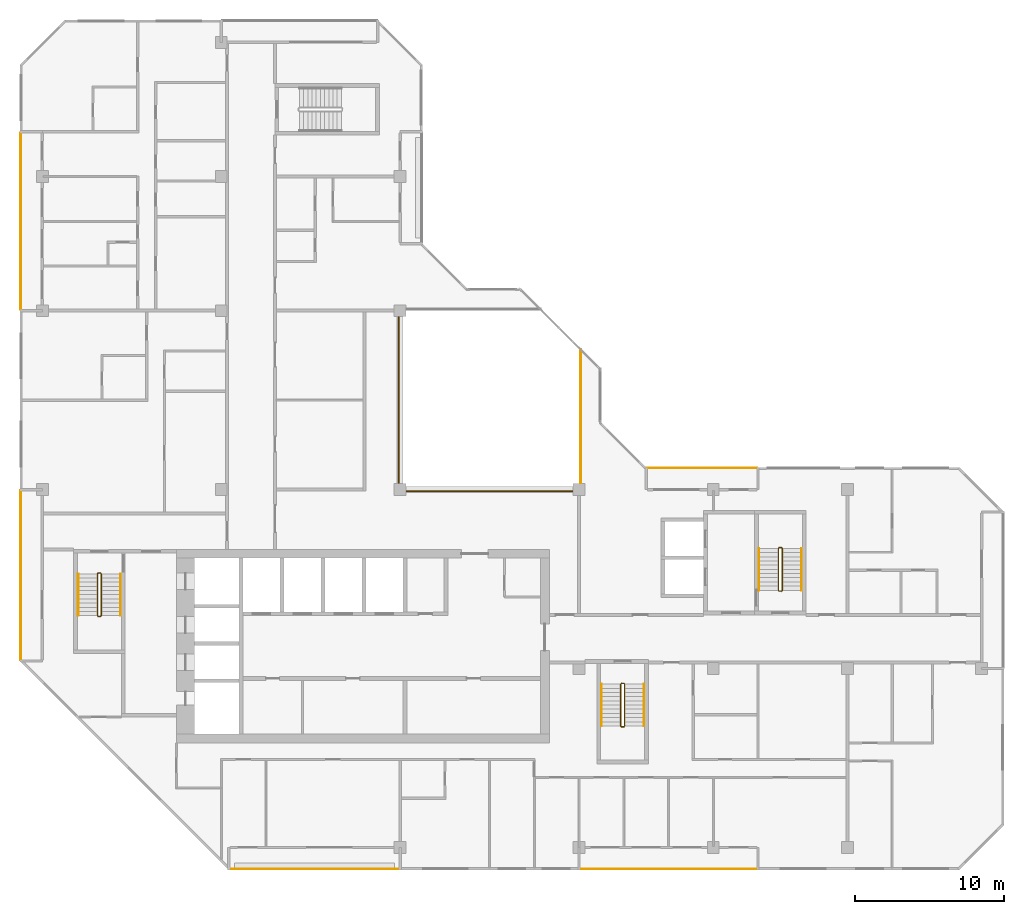
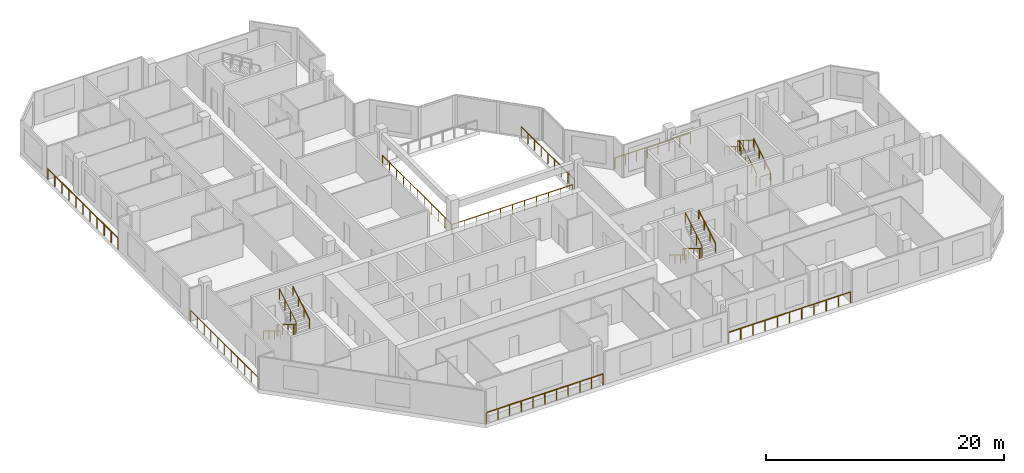
# One storey, part 12 of 13: 16 railings.
"""IFC4 building model written with IfcOpenShell, lengths in metres."""

from ifc_helpers import new_model, si_unit, direction, frame, origin, origin_2d, place, context, subcontext, project, spatial, rectangle, extrude, material, type_object, element, save


model = new_model("IFC4")

# Units and contexts
model_context = context("Model", 3, precision=1e-05, world=origin(), true_north=direction((0.0, 1.0)))
body_context = subcontext(model_context, "Body", "Model", "MODEL_VIEW")
ifc_project = project(units=[si_unit("LENGTHUNIT", "METRE"), si_unit("AREAUNIT", "SQUARE_METRE"), si_unit("VOLUMEUNIT", "CUBIC_METRE"), si_unit("PLANEANGLEUNIT", "RADIAN"), si_unit("MASSUNIT", "GRAM", prefix="KILO")], contexts=[model_context])

# Site, building, storey
site_placement = place(None, origin())
site = spatial("IfcSite", under=ifc_project, at=site_placement, CompositionType="ELEMENT")
building_placement = place(site_placement, origin())
building = spatial("IfcBuilding", under=site, at=building_placement, Name="Chenar Terraces", CompositionType="ELEMENT")
storey_placement = place(building_placement, frame((0.0, 0.0, 299.64990234375)))
storey = spatial("IfcBuildingStorey", under=building, at=storey_placement, Name="L70", CompositionType="ELEMENT", Elevation=299.64990234375)

# Railings
ifc_material_1 = material(Name="Powder-coated steel", Category="steel")
railing_type_1 = type_object("IfcRailingType", Name="Guard 1100 steel rail with glass infill", PredefinedType="GUARDRAIL", material=ifc_material_1)
railing_1_placement = place(storey_placement, frame((23.89990234375, 35.60009765625, 0.0)))
element("IfcRailing", 1, at=railing_1_placement, inside=storey, type_object=railing_type_1, Name="Guard L70-1", PredefinedType="GUARDRAIL", context=body_context, shape_type="SweptSolid", body=[
    extrude(rectangle(XDim=0.06005859375, YDim=0.06005859375, at=origin_2d()), frame((0.0, 0.0, 1.070068359375), z_axis=(0.0, -1.0, 0.0), x_axis=(1.0, 0.0, 0.0)), (0.0, 0.0, 1.0), 11.7001953125),
    extrude(rectangle(XDim=0.06005859375, YDim=0.06005859375, at=origin_2d()), frame((0.0, -11.7001953125, 1.070068359375), z_axis=(1.0, 0.0, 0.0), x_axis=(0.0, 1.0, 0.0)), (0.0, 0.0, 1.0), 11.7001953125),
    extrude(rectangle(XDim=0.050048828125, YDim=0.050048828125, at=origin_2d()), origin(), (0.0, 0.0, 1.0), 1.0400390625),
    extrude(rectangle(XDim=0.050048828125, YDim=0.050048828125, at=origin_2d()), frame((0.0, -1.169921875, 0.0)), (0.0, 0.0, 1.0), 1.0400390625),
    extrude(rectangle(XDim=0.050048828125, YDim=0.050048828125, at=origin_2d()), frame((0.0, -2.340087890625, 0.0)), (0.0, 0.0, 1.0), 1.0400390625),
    extrude(rectangle(XDim=0.050048828125, YDim=0.050048828125, at=origin_2d()), frame((0.0, -3.510009765625, 0.0)), (0.0, 0.0, 1.0), 1.0400390625),
    extrude(rectangle(XDim=0.050048828125, YDim=0.050048828125, at=origin_2d()), frame((0.0, -4.68017578125, 0.0)), (0.0, 0.0, 1.0), 1.0400390625),
    extrude(rectangle(XDim=0.050048828125, YDim=0.050048828125, at=origin_2d()), frame((0.0, -5.85009765625, 0.0)), (0.0, 0.0, 1.0), 1.0400390625),
    extrude(rectangle(XDim=0.050048828125, YDim=0.050048828125, at=origin_2d()), frame((0.0, -7.02001953125, 0.0)), (0.0, 0.0, 1.0), 1.0400390625),
    extrude(rectangle(XDim=0.050048828125, YDim=0.050048828125, at=origin_2d()), frame((0.0, -8.190185546875, 0.0)), (0.0, 0.0, 1.0), 1.0400390625),
    extrude(rectangle(XDim=0.050048828125, YDim=0.050048828125, at=origin_2d()), frame((0.0, -9.360107421875, 0.0)), (0.0, 0.0, 1.0), 1.0400390625),
    extrude(rectangle(XDim=0.050048828125, YDim=0.050048828125, at=origin_2d()), frame((0.0, -10.5302734375, 0.0)), (0.0, 0.0, 1.0), 1.0400390625),
    extrude(rectangle(XDim=0.050048828125, YDim=0.050048828125, at=origin_2d()), frame((0.0, -11.7001953125, 0.0)), (0.0, 0.0, 1.0), 1.0400390625),
    extrude(rectangle(XDim=0.050048828125, YDim=0.050048828125, at=origin_2d()), frame((1.169921875, -11.7001953125, 0.0)), (0.0, 0.0, 1.0), 1.0400390625),
    extrude(rectangle(XDim=0.050048828125, YDim=0.050048828125, at=origin_2d()), frame((2.340087890625, -11.7001953125, 0.0)), (0.0, 0.0, 1.0), 1.0400390625),
    extrude(rectangle(XDim=0.050048828125, YDim=0.050048828125, at=origin_2d()), frame((3.510009765625, -11.7001953125, 0.0)), (0.0, 0.0, 1.0), 1.0400390625),
    extrude(rectangle(XDim=0.050048828125, YDim=0.050048828125, at=origin_2d()), frame((4.68017578125, -11.7001953125, 0.0)), (0.0, 0.0, 1.0), 1.0400390625),
    extrude(rectangle(XDim=0.050048828125, YDim=0.050048828125, at=origin_2d()), frame((5.85009765625, -11.7001953125, 0.0)), (0.0, 0.0, 1.0), 1.0400390625),
    extrude(rectangle(XDim=0.050048828125, YDim=0.050048828125, at=origin_2d()), frame((7.02001953125, -11.7001953125, 0.0)), (0.0, 0.0, 1.0), 1.0400390625),
    extrude(rectangle(XDim=0.050048828125, YDim=0.050048828125, at=origin_2d()), frame((8.190185546875, -11.7001953125, 0.0)), (0.0, 0.0, 1.0), 1.0400390625),
    extrude(rectangle(XDim=0.050048828125, YDim=0.050048828125, at=origin_2d()), frame((9.360107421875, -11.7001953125, 0.0)), (0.0, 0.0, 1.0), 1.0400390625),
    extrude(rectangle(XDim=0.050048828125, YDim=0.050048828125, at=origin_2d()), frame((10.5302734375, -11.7001953125, 0.0)), (0.0, 0.0, 1.0), 1.0400390625),
    extrude(rectangle(XDim=0.050048828125, YDim=0.050048828125, at=origin_2d()), frame((11.7001953125, -11.7001953125, 0.0)), (0.0, 0.0, 1.0), 1.0400390625),
])
railing_2_placement = place(storey_placement, frame((36.10009765625, 24.449951171875, 0.0)))
element("IfcRailing", 2, at=railing_2_placement, inside=storey, type_object=railing_type_1, Name="Guard L70-3", PredefinedType="GUARDRAIL", context=body_context, shape_type="SweptSolid", body=[
    extrude(rectangle(XDim=0.06005859375, YDim=0.06005859375, at=origin_2d()), frame((0.0, 0.0, 1.070068359375), z_axis=(0.0, 1.0, 0.0), x_axis=(-1.0, 0.0, 0.0)), (0.0, 0.0, 1.0), 8.949951171875),
    extrude(rectangle(XDim=0.050048828125, YDim=0.050048828125, at=origin_2d()), origin(), (0.0, 0.0, 1.0), 1.0400390625),
    extrude(rectangle(XDim=0.050048828125, YDim=0.050048828125, at=origin_2d()), frame((0.0, 1.11865234375, 0.0)), (0.0, 0.0, 1.0), 1.0400390625),
    extrude(rectangle(XDim=0.050048828125, YDim=0.050048828125, at=origin_2d()), frame((0.0, 2.237548828125, 0.0)), (0.0, 0.0, 1.0), 1.0400390625),
    extrude(rectangle(XDim=0.050048828125, YDim=0.050048828125, at=origin_2d()), frame((0.0, 3.356201171875, 0.0)), (0.0, 0.0, 1.0), 1.0400390625),
    extrude(rectangle(XDim=0.050048828125, YDim=0.050048828125, at=origin_2d()), frame((0.0, 4.47509765625, 0.0)), (0.0, 0.0, 1.0), 1.0400390625),
    extrude(rectangle(XDim=0.050048828125, YDim=0.050048828125, at=origin_2d()), frame((0.0, 5.59375, 0.0)), (0.0, 0.0, 1.0), 1.0400390625),
    extrude(rectangle(XDim=0.050048828125, YDim=0.050048828125, at=origin_2d()), frame((0.0, 6.71240234375, 0.0)), (0.0, 0.0, 1.0), 1.0400390625),
    extrude(rectangle(XDim=0.050048828125, YDim=0.050048828125, at=origin_2d()), frame((0.0, 7.831298828125, 0.0)), (0.0, 0.0, 1.0), 1.0400390625),
    extrude(rectangle(XDim=0.050048828125, YDim=0.050048828125, at=origin_2d()), frame((0.0, 8.949951171875, 0.0)), (0.0, 0.0, 1.0), 1.0400390625),
])
ifc_material_2 = material(Name="Stainless steel and glass", Category="steel")
railing_type_2 = type_object("IfcRailingType", Name="Loggia guard 1150", PredefinedType="GUARDRAIL", material=ifc_material_2)
railing_3_placement = place(storey_placement, frame((47.925048828125, 25.449951171875, 0.0)))
element("IfcRailing", 3, at=railing_3_placement, inside=storey, type_object=railing_type_2, Name="Loggia guard", PredefinedType="GUARDRAIL", context=body_context, shape_type="SweptSolid", body=[
    extrude(rectangle(XDim=0.048095703125, YDim=0.048095703125, at=origin_2d()), frame((0.0, 0.0, 1.1259765625), z_axis=(-1.0, 0.0, 0.0), x_axis=(0.0, -1.0, 0.0)), (0.0, 0.0, 1.0), 7.35009765625),
    extrude(rectangle(XDim=0.0419921875, YDim=0.0419921875, at=origin_2d()), origin(), (0.0, 0.0, 1.0), 1.101806640625),
    extrude(rectangle(XDim=0.0419921875, YDim=0.0419921875, at=origin_2d()), frame((-1.050048828125, 0.0, 0.0)), (0.0, 0.0, 1.0), 1.101806640625),
    extrude(rectangle(XDim=0.0419921875, YDim=0.0419921875, at=origin_2d()), frame((-2.10009765625, 0.0, 0.0)), (0.0, 0.0, 1.0), 1.101806640625),
    extrude(rectangle(XDim=0.0419921875, YDim=0.0419921875, at=origin_2d()), frame((-3.150146484375, 0.0, 0.0)), (0.0, 0.0, 1.0), 1.101806640625),
    extrude(rectangle(XDim=0.0419921875, YDim=0.0419921875, at=origin_2d()), frame((-4.199951171875, 0.0, 0.0)), (0.0, 0.0, 1.0), 1.101806640625),
    extrude(rectangle(XDim=0.0419921875, YDim=0.0419921875, at=origin_2d()), frame((-5.25, 0.0, 0.0)), (0.0, 0.0, 1.0), 1.101806640625),
    extrude(rectangle(XDim=0.0419921875, YDim=0.0419921875, at=origin_2d()), frame((-6.300048828125, 0.0, 0.0)), (0.0, 0.0, 1.0), 1.101806640625),
    extrude(rectangle(XDim=0.0419921875, YDim=0.0419921875, at=origin_2d()), frame((-7.35009765625, 0.0, 0.0)), (0.0, 0.0, 1.0), 1.101806640625),
])
railing_4_placement = place(storey_placement, frame((12.574951171875, -1.449951171875, 0.0)))
element("IfcRailing", 4, at=railing_4_placement, inside=storey, type_object=railing_type_2, Name="Loggia guard", PredefinedType="GUARDRAIL", context=body_context, shape_type="SweptSolid", body=[
    extrude(rectangle(XDim=0.048095703125, YDim=0.048095703125, at=origin_2d()), frame((0.0, 0.0, 1.1259765625), z_axis=(1.0, 0.0, 0.0), x_axis=(0.0, 1.0, 0.0)), (0.0, 0.0, 1.0), 11.35009765625),
    extrude(rectangle(XDim=0.0419921875, YDim=0.0419921875, at=origin_2d()), origin(), (0.0, 0.0, 1.0), 1.101806640625),
    extrude(rectangle(XDim=0.0419921875, YDim=0.0419921875, at=origin_2d()), frame((1.135009765625, 0.0, 0.0)), (0.0, 0.0, 1.0), 1.101806640625),
    extrude(rectangle(XDim=0.0419921875, YDim=0.0419921875, at=origin_2d()), frame((2.27001953125, 0.0, 0.0)), (0.0, 0.0, 1.0), 1.101806640625),
    extrude(rectangle(XDim=0.0419921875, YDim=0.0419921875, at=origin_2d()), frame((3.405029296875, 0.0, 0.0)), (0.0, 0.0, 1.0), 1.101806640625),
    extrude(rectangle(XDim=0.0419921875, YDim=0.0419921875, at=origin_2d()), frame((4.5400390625, 0.0, 0.0)), (0.0, 0.0, 1.0), 1.101806640625),
    extrude(rectangle(XDim=0.0419921875, YDim=0.0419921875, at=origin_2d()), frame((5.675048828125, 0.0, 0.0)), (0.0, 0.0, 1.0), 1.101806640625),
    extrude(rectangle(XDim=0.0419921875, YDim=0.0419921875, at=origin_2d()), frame((6.81005859375, 0.0, 0.0)), (0.0, 0.0, 1.0), 1.101806640625),
    extrude(rectangle(XDim=0.0419921875, YDim=0.0419921875, at=origin_2d()), frame((7.945068359375, 0.0, 0.0)), (0.0, 0.0, 1.0), 1.101806640625),
    extrude(rectangle(XDim=0.0419921875, YDim=0.0419921875, at=origin_2d()), frame((9.080078125, 0.0, 0.0)), (0.0, 0.0, 1.0), 1.101806640625),
    extrude(rectangle(XDim=0.0419921875, YDim=0.0419921875, at=origin_2d()), frame((10.215087890625, 0.0, 0.0)), (0.0, 0.0, 1.0), 1.101806640625),
    extrude(rectangle(XDim=0.0419921875, YDim=0.0419921875, at=origin_2d()), frame((11.35009765625, 0.0, 0.0)), (0.0, 0.0, 1.0), 1.101806640625),
])
railing_5_placement = place(storey_placement, frame((36.074951171875, -1.449951171875, 0.0)))
element("IfcRailing", 5, at=railing_5_placement, inside=storey, type_object=railing_type_2, Name="Loggia guard", PredefinedType="GUARDRAIL", context=body_context, shape_type="SweptSolid", body=[
    extrude(rectangle(XDim=0.048095703125, YDim=0.048095703125, at=origin_2d()), frame((0.0, 0.0, 1.1259765625), z_axis=(1.0, 0.0, 0.0), x_axis=(0.0, 1.0, 0.0)), (0.0, 0.0, 1.0), 11.85009765625),
    extrude(rectangle(XDim=0.0419921875, YDim=0.0419921875, at=origin_2d()), origin(), (0.0, 0.0, 1.0), 1.101806640625),
    extrude(rectangle(XDim=0.0419921875, YDim=0.0419921875, at=origin_2d()), frame((1.18505859375, 0.0, 0.0)), (0.0, 0.0, 1.0), 1.101806640625),
    extrude(rectangle(XDim=0.0419921875, YDim=0.0419921875, at=origin_2d()), frame((2.3701171875, 0.0, 0.0)), (0.0, 0.0, 1.0), 1.101806640625),
    extrude(rectangle(XDim=0.0419921875, YDim=0.0419921875, at=origin_2d()), frame((3.554931640625, 0.0, 0.0)), (0.0, 0.0, 1.0), 1.101806640625),
    extrude(rectangle(XDim=0.0419921875, YDim=0.0419921875, at=origin_2d()), frame((4.739990234375, 0.0, 0.0)), (0.0, 0.0, 1.0), 1.101806640625),
    extrude(rectangle(XDim=0.0419921875, YDim=0.0419921875, at=origin_2d()), frame((5.925048828125, 0.0, 0.0)), (0.0, 0.0, 1.0), 1.101806640625),
    extrude(rectangle(XDim=0.0419921875, YDim=0.0419921875, at=origin_2d()), frame((7.110107421875, 0.0, 0.0)), (0.0, 0.0, 1.0), 1.101806640625),
    extrude(rectangle(XDim=0.0419921875, YDim=0.0419921875, at=origin_2d()), frame((8.295166015625, 0.0, 0.0)), (0.0, 0.0, 1.0), 1.101806640625),
    extrude(rectangle(XDim=0.0419921875, YDim=0.0419921875, at=origin_2d()), frame((9.47998046875, 0.0, 0.0)), (0.0, 0.0, 1.0), 1.101806640625),
    extrude(rectangle(XDim=0.0419921875, YDim=0.0419921875, at=origin_2d()), frame((10.6650390625, 0.0, 0.0)), (0.0, 0.0, 1.0), 1.101806640625),
    extrude(rectangle(XDim=0.0419921875, YDim=0.0419921875, at=origin_2d()), frame((11.85009765625, 0.0, 0.0)), (0.0, 0.0, 1.0), 1.101806640625),
])
railing_6_placement = place(storey_placement, frame((-1.449951171875, 47.925048828125, 0.0)))
element("IfcRailing", 6, at=railing_6_placement, inside=storey, type_object=railing_type_2, Name="Loggia guard", PredefinedType="GUARDRAIL", context=body_context, shape_type="SweptSolid", body=[
    extrude(rectangle(XDim=0.048095703125, YDim=0.048095703125, at=origin_2d()), frame((0.0, 0.0, 1.1259765625), z_axis=(0.0, -1.0, 0.0), x_axis=(1.0, 0.0, 0.0)), (0.0, 0.0, 1.0), 11.85009765625),
    extrude(rectangle(XDim=0.0419921875, YDim=0.0419921875, at=origin_2d()), origin(), (0.0, 0.0, 1.0), 1.101806640625),
    extrude(rectangle(XDim=0.0419921875, YDim=0.0419921875, at=origin_2d()), frame((0.0, -1.18505859375, 0.0)), (0.0, 0.0, 1.0), 1.101806640625),
    extrude(rectangle(XDim=0.0419921875, YDim=0.0419921875, at=origin_2d()), frame((0.0, -2.3701171875, 0.0)), (0.0, 0.0, 1.0), 1.101806640625),
    extrude(rectangle(XDim=0.0419921875, YDim=0.0419921875, at=origin_2d()), frame((0.0, -3.554931640625, 0.0)), (0.0, 0.0, 1.0), 1.101806640625),
    extrude(rectangle(XDim=0.0419921875, YDim=0.0419921875, at=origin_2d()), frame((0.0, -4.739990234375, 0.0)), (0.0, 0.0, 1.0), 1.101806640625),
    extrude(rectangle(XDim=0.0419921875, YDim=0.0419921875, at=origin_2d()), frame((0.0, -5.925048828125, 0.0)), (0.0, 0.0, 1.0), 1.101806640625),
    extrude(rectangle(XDim=0.0419921875, YDim=0.0419921875, at=origin_2d()), frame((0.0, -7.110107421875, 0.0)), (0.0, 0.0, 1.0), 1.101806640625),
    extrude(rectangle(XDim=0.0419921875, YDim=0.0419921875, at=origin_2d()), frame((0.0, -8.295166015625, 0.0)), (0.0, 0.0, 1.0), 1.101806640625),
    extrude(rectangle(XDim=0.0419921875, YDim=0.0419921875, at=origin_2d()), frame((0.0, -9.47998046875, 0.0)), (0.0, 0.0, 1.0), 1.101806640625),
    extrude(rectangle(XDim=0.0419921875, YDim=0.0419921875, at=origin_2d()), frame((0.0, -10.6650390625, 0.0)), (0.0, 0.0, 1.0), 1.101806640625),
    extrude(rectangle(XDim=0.0419921875, YDim=0.0419921875, at=origin_2d()), frame((0.0, -11.85009765625, 0.0)), (0.0, 0.0, 1.0), 1.101806640625),
])
railing_7_placement = place(storey_placement, frame((-1.449951171875, 23.925048828125, 0.0)))
element("IfcRailing", 7, at=railing_7_placement, inside=storey, type_object=railing_type_2, Name="Loggia guard", PredefinedType="GUARDRAIL", context=body_context, shape_type="SweptSolid", body=[
    extrude(rectangle(XDim=0.048095703125, YDim=0.048095703125, at=origin_2d()), frame((0.0, 0.0, 1.1259765625), z_axis=(0.0, -1.0, 0.0), x_axis=(1.0, 0.0, 0.0)), (0.0, 0.0, 1.0), 11.35009765625),
    extrude(rectangle(XDim=0.0419921875, YDim=0.0419921875, at=origin_2d()), origin(), (0.0, 0.0, 1.0), 1.101806640625),
    extrude(rectangle(XDim=0.0419921875, YDim=0.0419921875, at=origin_2d()), frame((0.0, -1.135009765625, 0.0)), (0.0, 0.0, 1.0), 1.101806640625),
    extrude(rectangle(XDim=0.0419921875, YDim=0.0419921875, at=origin_2d()), frame((0.0, -2.27001953125, 0.0)), (0.0, 0.0, 1.0), 1.101806640625),
    extrude(rectangle(XDim=0.0419921875, YDim=0.0419921875, at=origin_2d()), frame((0.0, -3.405029296875, 0.0)), (0.0, 0.0, 1.0), 1.101806640625),
    extrude(rectangle(XDim=0.0419921875, YDim=0.0419921875, at=origin_2d()), frame((0.0, -4.5400390625, 0.0)), (0.0, 0.0, 1.0), 1.101806640625),
    extrude(rectangle(XDim=0.0419921875, YDim=0.0419921875, at=origin_2d()), frame((0.0, -5.675048828125, 0.0)), (0.0, 0.0, 1.0), 1.101806640625),
    extrude(rectangle(XDim=0.0419921875, YDim=0.0419921875, at=origin_2d()), frame((0.0, -6.81005859375, 0.0)), (0.0, 0.0, 1.0), 1.101806640625),
    extrude(rectangle(XDim=0.0419921875, YDim=0.0419921875, at=origin_2d()), frame((0.0, -7.945068359375, 0.0)), (0.0, 0.0, 1.0), 1.101806640625),
    extrude(rectangle(XDim=0.0419921875, YDim=0.0419921875, at=origin_2d()), frame((0.0, -9.080078125, 0.0)), (0.0, 0.0, 1.0), 1.101806640625),
    extrude(rectangle(XDim=0.0419921875, YDim=0.0419921875, at=origin_2d()), frame((0.0, -10.215087890625, 0.0)), (0.0, 0.0, 1.0), 1.101806640625),
    extrude(rectangle(XDim=0.0419921875, YDim=0.0419921875, at=origin_2d()), frame((0.0, -11.35009765625, 0.0)), (0.0, 0.0, 1.0), 1.101806640625),
])
ifc_material_3 = material(Name="Powder-coated steel", Category="steel")
railing_type_3 = type_object("IfcRailingType", Name="Stair guard 1100", PredefinedType="GUARDRAIL", material=ifc_material_3)
railing_8_placement = place(storey_placement, frame((3.949951171875, 18.35009765625, 3.75)))
element("IfcRailing", 8, at=railing_8_placement, inside=storey, type_object=railing_type_3, Name="L70 ST1 stair guard 1", PredefinedType="GUARDRAIL", context=body_context, shape_type="SweptSolid", body=[
    extrude(rectangle(XDim=0.048095703125, YDim=0.048095703125, at=origin_2d()), frame((0.0, 0.0, 1.076171875), z_axis=(0.0, -0.854202870247, -0.519939858505), x_axis=(1.0, 0.0, 0.0)), (0.0, 0.0, 1.0), 3.278076171875),
    extrude(rectangle(XDim=0.048095703125, YDim=0.048095703125, at=origin_2d()), frame((0.0, -2.800048828125, -0.62841796875), z_axis=(-0.270899902878, -0.270899902878, -0.923702595667), x_axis=(0.707106781187, -0.707106781187, 0.0)), (0.0, 0.0, 1.0), 0.184814453125),
    extrude(rectangle(XDim=0.048095703125, YDim=0.048095703125, at=origin_2d()), frame((-0.050048828125, -2.85009765625, -0.798828125), z_axis=(-1.0, 0.0, 0.0), x_axis=(0.0, -1.0, 0.0)), (0.0, 0.0, 1.0), 0.14990234375),
    extrude(rectangle(XDim=0.048095703125, YDim=0.048095703125, at=origin_2d()), frame((-0.199951171875, -2.85009765625, -0.798828125), z_axis=(-0.707106781187, 0.707106781187, 0.0), x_axis=(-0.707106781187, -0.707106781187, 0.0)), (0.0, 0.0, 1.0), 0.07080078125),
    extrude(rectangle(XDim=0.048095703125, YDim=0.048095703125, at=origin_2d()), frame((-0.25, -2.800048828125, -0.798828125), z_axis=(0.0, 0.854202870247, -0.519939858505), x_axis=(-1.0, 0.0, 0.0)), (0.0, 0.0, 1.0), 3.278076171875),
    extrude(rectangle(XDim=0.048095703125, YDim=0.048095703125, at=origin_2d()), frame((-0.25, 0.0, -2.50341796875), z_axis=(0.270996696079, 0.269674760976, -0.924032636873), x_axis=(-0.705375805398, 0.708833529934, 0.0)), (0.0, 0.0, 1.0), 0.1845703125),
    extrude(rectangle(XDim=0.048095703125, YDim=0.048095703125, at=origin_2d()), frame((-0.199951171875, 0.0498046875, -2.673828125), z_axis=(1.0, 0.0, 0.0), x_axis=(0.0, 1.0, 0.0)), (0.0, 0.0, 1.0), 0.14990234375),
    extrude(rectangle(XDim=0.0419921875, YDim=0.0419921875, at=origin_2d()), origin(), (0.0, 0.0, 1.0), 1.052001953125),
    extrude(rectangle(XDim=0.0419921875, YDim=0.0419921875, at=origin_2d()), frame((0.0, -0.933349609375, -0.568115234375)), (0.0, 0.0, 1.0), 1.052001953125),
    extrude(rectangle(XDim=0.0419921875, YDim=0.0419921875, at=origin_2d()), frame((0.0, -1.86669921875, -1.13623046875)), (0.0, 0.0, 1.0), 1.052001953125),
    extrude(rectangle(XDim=0.0419921875, YDim=0.0419921875, at=origin_2d()), frame((0.0, -2.800048828125, -1.704345703125)), (0.0, 0.0, 1.0), 1.052001953125),
    extrude(rectangle(XDim=0.0419921875, YDim=0.0419921875, at=origin_2d()), frame((-0.050048828125, -2.85009765625, -1.875)), (0.0, 0.0, 1.0), 1.052001953125),
    extrude(rectangle(XDim=0.0419921875, YDim=0.0419921875, at=origin_2d()), frame((-0.199951171875, -2.85009765625, -1.875)), (0.0, 0.0, 1.0), 1.052001953125),
    extrude(rectangle(XDim=0.0419921875, YDim=0.0419921875, at=origin_2d()), frame((-0.25, -2.800048828125, -1.875)), (0.0, 0.0, 1.0), 1.052001953125),
    extrude(rectangle(XDim=0.0419921875, YDim=0.0419921875, at=origin_2d()), frame((-0.25, -1.86669921875, -2.443115234375)), (0.0, 0.0, 1.0), 1.052001953125),
    extrude(rectangle(XDim=0.0419921875, YDim=0.0419921875, at=origin_2d()), frame((-0.25, -0.933349609375, -3.01123046875)), (0.0, 0.0, 1.0), 1.052001953125),
    extrude(rectangle(XDim=0.0419921875, YDim=0.0419921875, at=origin_2d()), frame((-0.25, 0.0, -3.579345703125)), (0.0, 0.0, 1.0), 1.052001953125),
    extrude(rectangle(XDim=0.0419921875, YDim=0.0419921875, at=origin_2d()), frame((-0.199951171875, 0.0498046875, -3.75)), (0.0, 0.0, 1.0), 1.052001953125),
    extrude(rectangle(XDim=0.0419921875, YDim=0.0419921875, at=origin_2d()), frame((-0.050048828125, 0.0498046875, -3.75)), (0.0, 0.0, 1.0), 1.052001953125),
])
railing_9_placement = place(storey_placement, frame((39.050048828125, 10.949951171875, 3.75)))
element("IfcRailing", 9, at=railing_9_placement, inside=storey, type_object=railing_type_3, Name="L70 ST2 stair guard 1", PredefinedType="GUARDRAIL", context=body_context, shape_type="SweptSolid", body=[
    extrude(rectangle(XDim=0.048095703125, YDim=0.048095703125, at=origin_2d()), frame((0.0, 0.0, 1.076171875), z_axis=(0.0, -0.854202870247, -0.519939858505), x_axis=(1.0, 0.0, 0.0)), (0.0, 0.0, 1.0), 3.278076171875),
    extrude(rectangle(XDim=0.048095703125, YDim=0.048095703125, at=origin_2d()), frame((0.0, -2.800048828125, -0.62841796875), z_axis=(-0.270996696079, -0.269674760976, -0.924032636873), x_axis=(0.705375805398, -0.708833529934, 0.0)), (0.0, 0.0, 1.0), 0.1845703125),
    extrude(rectangle(XDim=0.048095703125, YDim=0.048095703125, at=origin_2d()), frame((-0.050048828125, -2.849853515625, -0.798828125), z_axis=(-1.0, 0.0, 0.0), x_axis=(0.0, -1.0, 0.0)), (0.0, 0.0, 1.0), 0.14990234375),
    extrude(rectangle(XDim=0.048095703125, YDim=0.048095703125, at=origin_2d()), frame((-0.199951171875, -2.849853515625, -0.798828125), z_axis=(-0.708833529934, 0.705375805398, 0.0), x_axis=(-0.705375805398, -0.708833529934, 0.0)), (0.0, 0.0, 1.0), 0.070556640625),
    extrude(rectangle(XDim=0.048095703125, YDim=0.048095703125, at=origin_2d()), frame((-0.25, -2.800048828125, -0.798828125), z_axis=(0.0, 0.854202870247, -0.519939858505), x_axis=(-1.0, 0.0, 0.0)), (0.0, 0.0, 1.0), 3.278076171875),
    extrude(rectangle(XDim=0.048095703125, YDim=0.048095703125, at=origin_2d()), frame((-0.25, 0.0, -2.50341796875), z_axis=(0.270899902878, 0.270899902878, -0.923702595667), x_axis=(-0.707106781187, 0.707106781187, 0.0)), (0.0, 0.0, 1.0), 0.184814453125),
    extrude(rectangle(XDim=0.048095703125, YDim=0.048095703125, at=origin_2d()), frame((-0.199951171875, 0.050048828125, -2.673828125), z_axis=(1.0, 0.0, 0.0), x_axis=(0.0, 1.0, 0.0)), (0.0, 0.0, 1.0), 0.14990234375),
    extrude(rectangle(XDim=0.0419921875, YDim=0.0419921875, at=origin_2d()), origin(), (0.0, 0.0, 1.0), 1.052001953125),
    extrude(rectangle(XDim=0.0419921875, YDim=0.0419921875, at=origin_2d()), frame((0.0, -0.933349609375, -0.568115234375)), (0.0, 0.0, 1.0), 1.052001953125),
    extrude(rectangle(XDim=0.0419921875, YDim=0.0419921875, at=origin_2d()), frame((0.0, -1.86669921875, -1.13623046875)), (0.0, 0.0, 1.0), 1.052001953125),
    extrude(rectangle(XDim=0.0419921875, YDim=0.0419921875, at=origin_2d()), frame((0.0, -2.800048828125, -1.704345703125)), (0.0, 0.0, 1.0), 1.052001953125),
    extrude(rectangle(XDim=0.0419921875, YDim=0.0419921875, at=origin_2d()), frame((-0.050048828125, -2.849853515625, -1.875)), (0.0, 0.0, 1.0), 1.052001953125),
    extrude(rectangle(XDim=0.0419921875, YDim=0.0419921875, at=origin_2d()), frame((-0.199951171875, -2.849853515625, -1.875)), (0.0, 0.0, 1.0), 1.052001953125),
    extrude(rectangle(XDim=0.0419921875, YDim=0.0419921875, at=origin_2d()), frame((-0.25, -2.800048828125, -1.875)), (0.0, 0.0, 1.0), 1.052001953125),
    extrude(rectangle(XDim=0.0419921875, YDim=0.0419921875, at=origin_2d()), frame((-0.25, -1.86669921875, -2.443115234375)), (0.0, 0.0, 1.0), 1.052001953125),
    extrude(rectangle(XDim=0.0419921875, YDim=0.0419921875, at=origin_2d()), frame((-0.25, -0.933349609375, -3.01123046875)), (0.0, 0.0, 1.0), 1.052001953125),
    extrude(rectangle(XDim=0.0419921875, YDim=0.0419921875, at=origin_2d()), frame((-0.25, 0.0, -3.579345703125)), (0.0, 0.0, 1.0), 1.052001953125),
    extrude(rectangle(XDim=0.0419921875, YDim=0.0419921875, at=origin_2d()), frame((-0.199951171875, 0.050048828125, -3.75)), (0.0, 0.0, 1.0), 1.052001953125),
    extrude(rectangle(XDim=0.0419921875, YDim=0.0419921875, at=origin_2d()), frame((-0.050048828125, 0.050048828125, -3.75)), (0.0, 0.0, 1.0), 1.052001953125),
])
railing_10_placement = place(storey_placement, frame((49.375, 17.25, 3.75)))
element("IfcRailing", 10, at=railing_10_placement, inside=storey, type_object=railing_type_3, Name="L70 ST3 stair guard 1", PredefinedType="GUARDRAIL", context=body_context, shape_type="SweptSolid", body=[
    extrude(rectangle(XDim=0.048095703125, YDim=0.048095703125, at=origin_2d()), frame((0.0, 0.0, 1.076171875), z_axis=(0.0, 0.854202870247, -0.519939858505), x_axis=(-1.0, 0.0, 0.0)), (0.0, 0.0, 1.0), 3.278076171875),
    extrude(rectangle(XDim=0.048095703125, YDim=0.048095703125, at=origin_2d()), frame((0.0, 2.800048828125, -0.62841796875), z_axis=(0.270899902878, 0.270899902878, -0.923702595667), x_axis=(-0.707106781187, 0.707106781187, 0.0)), (0.0, 0.0, 1.0), 0.184814453125),
    extrude(rectangle(XDim=0.048095703125, YDim=0.048095703125, at=origin_2d()), frame((0.050048828125, 2.85009765625, -0.798828125), z_axis=(1.0, 0.0, 0.0), x_axis=(0.0, 1.0, 0.0)), (0.0, 0.0, 1.0), 0.14990234375),
    extrude(rectangle(XDim=0.048095703125, YDim=0.048095703125, at=origin_2d()), frame((0.199951171875, 2.85009765625, -0.798828125), z_axis=(0.707106781187, -0.707106781187, 0.0), x_axis=(0.707106781187, 0.707106781187, 0.0)), (0.0, 0.0, 1.0), 0.07080078125),
    extrude(rectangle(XDim=0.048095703125, YDim=0.048095703125, at=origin_2d()), frame((0.25, 2.800048828125, -0.798828125), z_axis=(0.0, -0.854202870247, -0.519939858505), x_axis=(1.0, 0.0, 0.0)), (0.0, 0.0, 1.0), 3.278076171875),
    extrude(rectangle(XDim=0.048095703125, YDim=0.048095703125, at=origin_2d()), frame((0.25, 0.0, -2.50341796875), z_axis=(-0.270899902878, -0.270899902878, -0.923702595667), x_axis=(0.707106781187, -0.707106781187, 0.0)), (0.0, 0.0, 1.0), 0.184814453125),
    extrude(rectangle(XDim=0.048095703125, YDim=0.048095703125, at=origin_2d()), frame((0.199951171875, -0.050048828125, -2.673828125), z_axis=(-1.0, 0.0, 0.0), x_axis=(0.0, -1.0, 0.0)), (0.0, 0.0, 1.0), 0.14990234375),
    extrude(rectangle(XDim=0.0419921875, YDim=0.0419921875, at=origin_2d()), origin(), (0.0, 0.0, 1.0), 1.052001953125),
    extrude(rectangle(XDim=0.0419921875, YDim=0.0419921875, at=origin_2d()), frame((0.0, 0.933349609375, -0.568115234375)), (0.0, 0.0, 1.0), 1.052001953125),
    extrude(rectangle(XDim=0.0419921875, YDim=0.0419921875, at=origin_2d()), frame((0.0, 1.86669921875, -1.13623046875)), (0.0, 0.0, 1.0), 1.052001953125),
    extrude(rectangle(XDim=0.0419921875, YDim=0.0419921875, at=origin_2d()), frame((0.0, 2.800048828125, -1.704345703125)), (0.0, 0.0, 1.0), 1.052001953125),
    extrude(rectangle(XDim=0.0419921875, YDim=0.0419921875, at=origin_2d()), frame((0.050048828125, 2.85009765625, -1.875)), (0.0, 0.0, 1.0), 1.052001953125),
    extrude(rectangle(XDim=0.0419921875, YDim=0.0419921875, at=origin_2d()), frame((0.199951171875, 2.85009765625, -1.875)), (0.0, 0.0, 1.0), 1.052001953125),
    extrude(rectangle(XDim=0.0419921875, YDim=0.0419921875, at=origin_2d()), frame((0.25, 2.800048828125, -1.875)), (0.0, 0.0, 1.0), 1.052001953125),
    extrude(rectangle(XDim=0.0419921875, YDim=0.0419921875, at=origin_2d()), frame((0.25, 1.86669921875, -2.443115234375)), (0.0, 0.0, 1.0), 1.052001953125),
    extrude(rectangle(XDim=0.0419921875, YDim=0.0419921875, at=origin_2d()), frame((0.25, 0.933349609375, -3.01123046875)), (0.0, 0.0, 1.0), 1.052001953125),
    extrude(rectangle(XDim=0.0419921875, YDim=0.0419921875, at=origin_2d()), frame((0.25, 0.0, -3.579345703125)), (0.0, 0.0, 1.0), 1.052001953125),
    extrude(rectangle(XDim=0.0419921875, YDim=0.0419921875, at=origin_2d()), frame((0.199951171875, -0.050048828125, -3.75)), (0.0, 0.0, 1.0), 1.052001953125),
    extrude(rectangle(XDim=0.0419921875, YDim=0.0419921875, at=origin_2d()), frame((0.050048828125, -0.050048828125, -3.75)), (0.0, 0.0, 1.0), 1.052001953125),
])
ifc_material_4 = material(Name="Powder-coated steel", Category="steel")
railing_type_4 = type_object("IfcRailingType", Name="Stair handrail 900", PredefinedType="HANDRAIL", material=ifc_material_4)
railing_11_placement = place(storey_placement, frame((2.39990234375, 18.35009765625, 0.170654296875)))
element("IfcRailing", 11, at=railing_11_placement, inside=storey, type_object=railing_type_4, Name="L70 ST1 stair handrail 1", PredefinedType="HANDRAIL", context=body_context, shape_type="SweptSolid", body=[
    extrude(rectangle(XDim=0.048095703125, YDim=0.048095703125, at=origin_2d()), frame((0.0, 0.0, 0.8759765625), z_axis=(0.0, -0.854202870247, 0.519939858505), x_axis=(1.0, 0.0, 0.0)), (0.0, 0.0, 1.0), 3.278076171875),
    extrude(rectangle(XDim=0.0419921875, YDim=0.0419921875, at=origin_2d()), origin(), (0.0, 0.0, 1.0), 0.851806640625),
    extrude(rectangle(XDim=0.0419921875, YDim=0.0419921875, at=origin_2d()), frame((0.0, -0.933349609375, 0.568115234375)), (0.0, 0.0, 1.0), 0.851806640625),
    extrude(rectangle(XDim=0.0419921875, YDim=0.0419921875, at=origin_2d()), frame((0.0, -1.86669921875, 1.13623046875)), (0.0, 0.0, 1.0), 0.851806640625),
    extrude(rectangle(XDim=0.0419921875, YDim=0.0419921875, at=origin_2d()), frame((0.0, -2.800048828125, 1.704345703125)), (0.0, 0.0, 1.0), 0.851806640625),
])
railing_12_placement = place(storey_placement, frame((5.25, 15.550048828125, 2.045654296875)))
element("IfcRailing", 12, at=railing_12_placement, inside=storey, type_object=railing_type_4, Name="L70 ST1 stair handrail 2", PredefinedType="HANDRAIL", context=body_context, shape_type="SweptSolid", body=[
    extrude(rectangle(XDim=0.048095703125, YDim=0.048095703125, at=origin_2d()), frame((0.0, 0.0, 0.8759765625), z_axis=(0.0, 0.854202870247, 0.519939858505), x_axis=(-1.0, 0.0, 0.0)), (0.0, 0.0, 1.0), 3.278076171875),
    extrude(rectangle(XDim=0.0419921875, YDim=0.0419921875, at=origin_2d()), origin(), (0.0, 0.0, 1.0), 0.851806640625),
    extrude(rectangle(XDim=0.0419921875, YDim=0.0419921875, at=origin_2d()), frame((0.0, 0.933349609375, 0.568115234375)), (0.0, 0.0, 1.0), 0.851806640625),
    extrude(rectangle(XDim=0.0419921875, YDim=0.0419921875, at=origin_2d()), frame((0.0, 1.86669921875, 1.13623046875)), (0.0, 0.0, 1.0), 0.851806640625),
    extrude(rectangle(XDim=0.0419921875, YDim=0.0419921875, at=origin_2d()), frame((0.0, 2.800048828125, 1.704345703125)), (0.0, 0.0, 1.0), 0.851806640625),
])
railing_13_placement = place(storey_placement, frame((37.5, 10.949951171875, 0.170654296875)))
element("IfcRailing", 13, at=railing_13_placement, inside=storey, type_object=railing_type_4, Name="L70 ST2 stair handrail 1", PredefinedType="HANDRAIL", context=body_context, shape_type="SweptSolid", body=[
    extrude(rectangle(XDim=0.048095703125, YDim=0.048095703125, at=origin_2d()), frame((0.0, 0.0, 0.8759765625), z_axis=(0.0, -0.854202870247, 0.519939858505), x_axis=(1.0, 0.0, 0.0)), (0.0, 0.0, 1.0), 3.278076171875),
    extrude(rectangle(XDim=0.0419921875, YDim=0.0419921875, at=origin_2d()), origin(), (0.0, 0.0, 1.0), 0.851806640625),
    extrude(rectangle(XDim=0.0419921875, YDim=0.0419921875, at=origin_2d()), frame((0.0, -0.933349609375, 0.568115234375)), (0.0, 0.0, 1.0), 0.851806640625),
    extrude(rectangle(XDim=0.0419921875, YDim=0.0419921875, at=origin_2d()), frame((0.0, -1.86669921875, 1.13623046875)), (0.0, 0.0, 1.0), 0.851806640625),
    extrude(rectangle(XDim=0.0419921875, YDim=0.0419921875, at=origin_2d()), frame((0.0, -2.800048828125, 1.704345703125)), (0.0, 0.0, 1.0), 0.851806640625),
])
for number, where, name in (
    (14, (40.35009765625, 8.14990234375, 2.045654296875), "L70 ST2 stair handrail 2"),
    (15, (50.925048828125, 17.25, 0.170654296875), "L70 ST3 stair handrail 1"),
):
    element("IfcRailing", number, at=place(storey_placement, frame(where)), inside=storey, type_object=railing_type_4, Name=name, PredefinedType="HANDRAIL", context=body_context, shape_type="SweptSolid", body=[
        extrude(rectangle(XDim=0.048095703125, YDim=0.048095703125, at=origin_2d()), frame((0.0, 0.0, 0.8759765625), z_axis=(0.0, 0.854202870247, 0.519939858505), x_axis=(-1.0, 0.0, 0.0)), (0.0, 0.0, 1.0), 3.278076171875),
        extrude(rectangle(XDim=0.0419921875, YDim=0.0419921875, at=origin_2d()), origin(), (0.0, 0.0, 1.0), 0.851806640625),
        extrude(rectangle(XDim=0.0419921875, YDim=0.0419921875, at=origin_2d()), frame((0.0, 0.933349609375, 0.568115234375)), (0.0, 0.0, 1.0), 0.851806640625),
        extrude(rectangle(XDim=0.0419921875, YDim=0.0419921875, at=origin_2d()), frame((0.0, 1.86669921875, 1.13623046875)), (0.0, 0.0, 1.0), 0.851806640625),
        extrude(rectangle(XDim=0.0419921875, YDim=0.0419921875, at=origin_2d()), frame((0.0, 2.800048828125, 1.704345703125)), (0.0, 0.0, 1.0), 0.851806640625),
    ])
railing_14_placement = place(storey_placement, frame((48.074951171875, 20.050048828125, 2.045654296875)))
element("IfcRailing", 16, at=railing_14_placement, inside=storey, type_object=railing_type_4, Name="L70 ST3 stair handrail 2", PredefinedType="HANDRAIL", context=body_context, shape_type="SweptSolid", body=[
    extrude(rectangle(XDim=0.048095703125, YDim=0.048095703125, at=origin_2d()), frame((0.0, 0.0, 0.8759765625), z_axis=(0.0, -0.854202870247, 0.519939858505), x_axis=(1.0, 0.0, 0.0)), (0.0, 0.0, 1.0), 3.278076171875),
    extrude(rectangle(XDim=0.0419921875, YDim=0.0419921875, at=origin_2d()), origin(), (0.0, 0.0, 1.0), 0.851806640625),
    extrude(rectangle(XDim=0.0419921875, YDim=0.0419921875, at=origin_2d()), frame((0.0, -0.933349609375, 0.568115234375)), (0.0, 0.0, 1.0), 0.851806640625),
    extrude(rectangle(XDim=0.0419921875, YDim=0.0419921875, at=origin_2d()), frame((0.0, -1.86669921875, 1.13623046875)), (0.0, 0.0, 1.0), 0.851806640625),
    extrude(rectangle(XDim=0.0419921875, YDim=0.0419921875, at=origin_2d()), frame((0.0, -2.800048828125, 1.704345703125)), (0.0, 0.0, 1.0), 0.851806640625),
])

save(model, "model.ifc")
